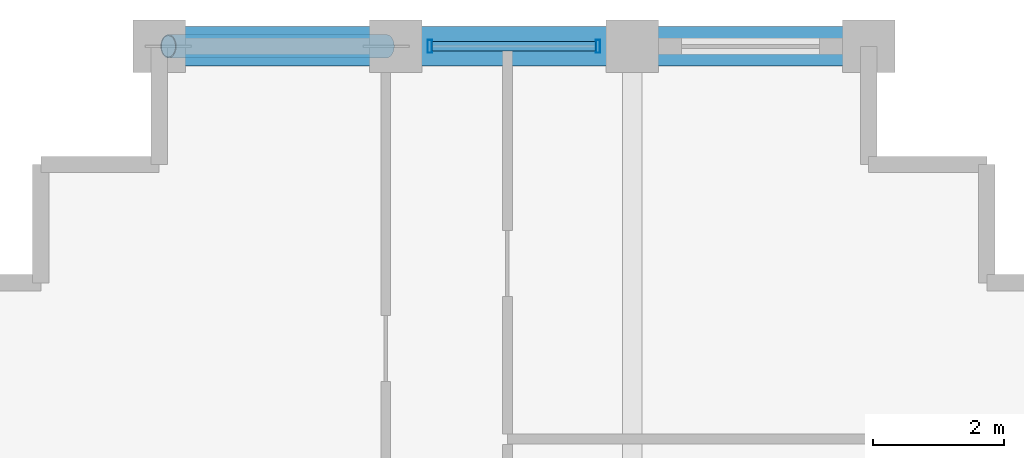
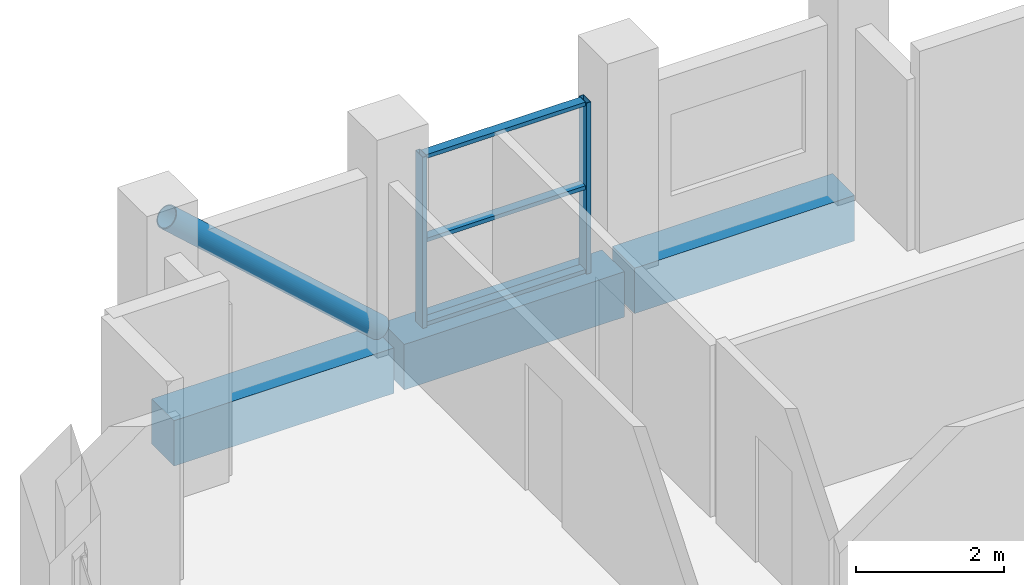
# One storey, part 12 of 17: 6 members, 3 beams, 1 element without a shape of its own.
"""IFC4 building model written with IfcOpenShell, lengths in metres."""

import ifcopenshell
import ifcopenshell.guid

model = None  # the IFC model being written
_history = None  # IfcOwnerHistory: only IFC2X3 demands one
_inside = {}  # id of a spatial element -> (the spatial element, [elements in it])
_under = {}  # id of a project, library or spatial element -> (it, [spatial elements below it])
_declared = {}  # id of a project -> (the project, [libraries it declares])
_typed = {}  # id of a type object -> (the type object, [elements of that type])
_made_of = {}  # id of a material, layer set ... -> (it, [elements and type objects made of it])


def new_model(schema):
    """Start an empty IFC model of exactly this schema.

    Asked for "IFC4X3", IfcOpenShell would pick the latest addendum, in which some entities
    have other attributes; the version numbers below select the first issue.
    IFC2X3 requires an IfcOwnerHistory on every rooted entity: one is made here for all.
    """
    global model, _history
    if schema == "IFC4X3":
        model = ifcopenshell.file(schema_version=(4, 3, 0, 0))
    else:
        model = ifcopenshell.file(schema=schema)
    _inside.clear()
    _under.clear()
    _declared.clear()
    _typed.clear()
    _made_of.clear()
    _history = None
    if model.schema == "IFC2X3":
        org = make("IfcOrganization", Name="unknown")
        user = make(
            "IfcPersonAndOrganization",
            ThePerson=make("IfcPerson", FamilyName="unknown"),
            TheOrganization=org,
        )
        app = make(
            "IfcApplication",
            ApplicationDeveloper=org,
            Version="unknown",
            ApplicationFullName="unknown",
            ApplicationIdentifier="unknown",
        )
        _history = make(
            "IfcOwnerHistory",
            OwningUser=user,
            OwningApplication=app,
            ChangeAction="ADDED",
            CreationDate=0,
        )
    return model


def make(cls, **values):
    """One entity of the class cls with the attributes given. An attribute that is None is left unset."""
    return model.create_entity(
        cls, **{name: value for name, value in values.items() if value is not None}
    )


def rooted(cls, **values):
    """An entity with a GlobalId (a new one), such as an element, a storey or a relation."""
    return make(cls, GlobalId=ifcopenshell.guid.new(), OwnerHistory=_history, **values)


def si_unit(unit_type, name, prefix=None):
    """IfcSIUnit, for example si_unit("LENGTHUNIT", "METRE", prefix="MILLI")."""
    return make("IfcSIUnit", UnitType=unit_type, Prefix=prefix, Name=name)


def assignment(units):
    """IfcUnitAssignment: the units of a project."""
    return None if units is None else make("IfcUnitAssignment", Units=units)


def point(xyz):
    """IfcCartesianPoint."""
    return None if xyz is None else make("IfcCartesianPoint", Coordinates=xyz)


def direction(xyz):
    """IfcDirection."""
    return None if xyz is None else make("IfcDirection", DirectionRatios=xyz)


def frame(location, z_axis=None, x_axis=None):
    """IfcAxis2Placement3D, a coordinate frame: its origin and axes. An axis left out is left unset."""
    return make(
        "IfcAxis2Placement3D",
        Location=point(location),
        Axis=direction(z_axis),
        RefDirection=direction(x_axis),
    )


def frame_2d(location, x_axis=None):
    """IfcAxis2Placement2D, a coordinate frame in the plane: its origin and x axis."""
    return make(
        "IfcAxis2Placement2D", Location=point(location), RefDirection=direction(x_axis)
    )


def origin():
    """The frame at (0, 0, 0) with its axes left unset."""
    return frame((0.0, 0.0, 0.0))


def origin_2d():
    """The frame at (0, 0) in the plane with its x axis left unset."""
    return frame_2d((0.0, 0.0))


def place(relative_to, where):
    """IfcLocalPlacement: puts the frame where relative to a parent placement (None: the world)."""
    return make(
        "IfcLocalPlacement", PlacementRelTo=relative_to, RelativePlacement=where
    )


def context(
    kind, dimensions, precision=None, world=None, true_north=None, identifier=None
):
    """IfcGeometricRepresentationContext, for example the 3D "Model" context."""
    return make(
        "IfcGeometricRepresentationContext",
        ContextIdentifier=identifier,
        ContextType=kind,
        CoordinateSpaceDimension=dimensions,
        Precision=precision,
        WorldCoordinateSystem=world,
        TrueNorth=true_north,
    )


def subcontext(parent, identifier, kind, view, scale=None):
    """IfcGeometricRepresentationSubContext, for example "Body" below "Model"."""
    return make(
        "IfcGeometricRepresentationSubContext",
        ContextIdentifier=identifier,
        ContextType=kind,
        ParentContext=parent,
        TargetScale=scale,
        TargetView=view,
    )


def project(units=None, contexts=None):
    """IfcProject with its units and contexts."""
    return rooted(
        "IfcProject",
        Name="project",
        RepresentationContexts=contexts,
        UnitsInContext=assignment(units),
    )


def spatial(cls, under=None, at=None, **own):
    """A site, building, storey or space (cls), placed at a placement, below another one or the project."""
    s = rooted(cls, ObjectPlacement=at, **own)
    if under is not None:
        _under.setdefault(under.id(), (under, []))[1].append(s)
    return s


def profile(cls, at=None, kind="AREA", **sizes):
    """A parametric profile (cls). Its sizes go by their IFC names, for example OverallWidth=200.0."""
    return make(cls, ProfileType=kind, Position=at, **sizes)


def rectangle(**sizes):
    """IfcRectangleProfileDef."""
    return profile("IfcRectangleProfileDef", **sizes)


def hollow_rectangle(**sizes):
    """IfcRectangleHollowProfileDef."""
    return profile("IfcRectangleHollowProfileDef", **sizes)


def hollow_circle(**sizes):
    """IfcCircleHollowProfileDef."""
    return profile("IfcCircleHollowProfileDef", **sizes)


def extrude(swept, where, along, depth):
    """IfcExtrudedAreaSolid: the profile swept, set in the frame where, extruded along a direction by depth."""
    return make(
        "IfcExtrudedAreaSolid",
        SweptArea=swept,
        Position=where,
        ExtrudedDirection=direction(along),
        Depth=depth,
    )


def shape(context_of_items, identifier, shape_type, items):
    """IfcShapeRepresentation: the items that make up one representation, for example the "Body"."""
    return make(
        "IfcShapeRepresentation",
        ContextOfItems=context_of_items,
        RepresentationIdentifier=identifier,
        RepresentationType=shape_type,
        Items=items,
    )


def material(Name=None, Category=None):
    """IfcMaterial."""
    return make("IfcMaterial", Name=Name, Category=Category)


def layer(
    of_material, thickness, ventilated=None, Name=None, Category=None, Priority=None
):
    """IfcMaterialLayer: one layer of a wall or slab, of a material (None: an air gap)."""
    return make(
        "IfcMaterialLayer",
        Material=of_material,
        LayerThickness=thickness,
        IsVentilated=ventilated,
        Name=Name,
        Category=Category,
        Priority=Priority,
    )


def layer_set(layers, Name=None):
    """IfcMaterialLayerSet."""
    return make("IfcMaterialLayerSet", MaterialLayers=layers, LayerSetName=Name)


def material_profile(
    of_material, cross_section, Name=None, Category=None, Priority=None
):
    """IfcMaterialProfile: a cross section and its material."""
    return make(
        "IfcMaterialProfile",
        Name=Name,
        Material=of_material,
        Profile=cross_section,
        Priority=Priority,
        Category=Category,
    )


def profile_set(profiles, Name=None, composite=None):
    """IfcMaterialProfileSet."""
    return make(
        "IfcMaterialProfileSet",
        Name=Name,
        MaterialProfiles=profiles,
        CompositeProfile=composite,
    )


def made_of(thing, what):
    """Note that an element or type object is made of a material, layer set ...; save() writes the relation."""
    if what is not None:
        _made_of.setdefault(what.id(), (what, []))[1].append(thing)
    return thing


def type_object(cls, material=None, **own):
    """A type object (cls), such as IfcWallType, which elements share."""
    return made_of(rooted(cls, **own), material)


def element(
    cls,
    number,
    at=None,
    inside=None,
    cuts=None,
    type_object=None,
    material=None,
    context=None,
    identifier="Body",
    shape_type=None,
    held_by="IfcProductDefinitionShape",
    body=None,
    shapes=None,
    **own,
):
    """One element of the class cls, such as IfcWall. Its Tag is "e" and its number.

    at: its placement. inside: the storey or other place that contains it. cuts: it is an
    opening in that element (IfcRelVoidsElement). A single representation is given by context,
    identifier, shape_type and body (its items); several are given by shapes. held_by: the class
    of the entity that holds the representations. save() writes the other relations.
    """
    e = rooted(cls, Tag="e%d" % number, ObjectPlacement=at, **own)
    if body is not None:
        shapes = [shape(context, identifier, shape_type, body)]
    if shapes is not None:
        e.Representation = make(held_by, Representations=shapes)
    if inside is not None:
        _inside.setdefault(inside.id(), (inside, []))[1].append(e)
    if cuts is not None:
        rooted(
            "IfcRelVoidsElement", RelatingBuildingElement=cuts, RelatedOpeningElement=e
        )
    if type_object is not None:
        _typed.setdefault(type_object.id(), (type_object, []))[1].append(e)
    return made_of(e, material)


def aggregate(whole, parts):
    """IfcRelAggregates: a whole, such as a stair, and the parts it consists of."""
    return rooted("IfcRelAggregates", RelatingObject=whole, RelatedObjects=parts)


def save(model, path):
    """Write the relations noted so far, then the file.

    IfcRelAggregates (storeys below a building ...), IfcRelContainedInSpatialStructure (elements
    in a storey), IfcRelDefinesByType, IfcRelAssociatesMaterial and IfcRelDeclares: one each for
    every whole, place, type object, material and project.
    """
    for whole, parts in _under.values():
        aggregate(whole, parts)
    for where, things in _inside.values():
        rooted(
            "IfcRelContainedInSpatialStructure",
            RelatedElements=things,
            RelatingStructure=where,
        )
    for kind, things in _typed.values():
        rooted("IfcRelDefinesByType", RelatedObjects=things, RelatingType=kind)
    for what, things in _made_of.values():
        rooted("IfcRelAssociatesMaterial", RelatedObjects=things, RelatingMaterial=what)
    for by, libraries in _declared.values():
        rooted("IfcRelDeclares", RelatingContext=by, RelatedDefinitions=libraries)
    model.write(path)


model = new_model("IFC4")

# Units and contexts
model_context = context("Model", 3, precision=1e-05, world=origin(), true_north=direction((0.0, 1.0)))
body_context = subcontext(model_context, "Body", "Model", "MODEL_VIEW")
ifc_project = project(units=[si_unit("LENGTHUNIT", "METRE"), si_unit("AREAUNIT", "SQUARE_METRE"), si_unit("VOLUMEUNIT", "CUBIC_METRE"), si_unit("PLANEANGLEUNIT", "RADIAN"), si_unit("MASSUNIT", "GRAM", prefix="KILO")], contexts=[model_context])

# Site, building, storey
site_placement = place(None, origin())
site = spatial("IfcSite", under=ifc_project, at=site_placement, CompositionType="ELEMENT")
building_placement = place(site_placement, origin())
building = spatial("IfcBuilding", under=site, at=building_placement, Name="Solnavia Interchange Tower", CompositionType="ELEMENT")
storey_placement = place(building_placement, frame((0.0, 0.0, 291.800048828125)))
storey = spatial("IfcBuildingStorey", under=building, at=storey_placement, Name="L74", CompositionType="ELEMENT", Elevation=291.800048828125)

# Beams
ifc_material_1 = material(Name="Concrete C50/60", Category="concrete")
ifc_material_profile_1 = material_profile(ifc_material_1, rectangle(XDim=0.60009765625, YDim=0.75, at=origin_2d()), Name="RC 600x750")
ifc_profile_set_1 = profile_set([ifc_material_profile_1], Name="Concrete C50/60")
beam_type = type_object("IfcBeamType", Name="Beam-Spandrel-RC600x750", PredefinedType="SPANDREL", material=ifc_profile_set_1)
for number, where, z_axis, x_axis, name in (
    (1, (21.52001953125, 36.0, -0.375), (-1.0, 0.0, 0.0), (0.0, -1.0, 0.0), "SPB-L74-22 Framed-tube perimeter spandrel beam"),
    (2, (17.919921875, 36.0, -0.375), (-1.0, 0.0, 0.0), (0.0, -1.0, 0.0), "SPB-L74-23 Framed-tube perimeter spandrel beam"),
):
    element("IfcBeam", number, at=place(storey_placement, frame(where, z_axis=z_axis, x_axis=x_axis)), inside=storey, type_object=beam_type, Name=name, PredefinedType="SPANDREL", context=body_context, shape_type="SweptSolid", body=[
        extrude(rectangle(XDim=0.60009765625, YDim=0.75, at=origin_2d()), origin(), (0.0, 0.0, 1.0), 3.43994140625),
    ])
beam_placement = place(storey_placement, frame((14.320068359375, 36.0, -0.375), z_axis=(-1.0, 0.0, 0.0), x_axis=(0.0, -1.0, 0.0)))
element("IfcBeam", 3, at=beam_placement, inside=storey, type_object=beam_type, Name="SPB-L74-24 Framed-tube perimeter spandrel beam", PredefinedType="SPANDREL", context=body_context, shape_type="SweptSolid", body=[
    extrude(rectangle(XDim=0.60009765625, YDim=0.75, at=origin_2d()), origin(), (0.0, 0.0, 1.0), 3.440185546875),
])

# Member
ifc_material_2 = material(Name="Steel S460", Category="steel")
ifc_material_profile_2 = material_profile(ifc_material_2, hollow_circle(Radius=0.177734375, WallThickness=0.01611328125, at=origin_2d()), Name="CHS 355.6x16")
ifc_profile_set_2 = profile_set([ifc_material_profile_2], Name="Steel S460")
member_type_1 = type_object("IfcMemberType", Name="Brace-Perim-CHS355", PredefinedType="BRACE", material=ifc_profile_set_2)
member_1_placement = place(storey_placement, frame((14.260009765625, 36.0, 0.179931640625), z_axis=(-0.74307946371, 0.0, 0.669203190827), x_axis=(0.0, -1.0, 0.0)))
element("IfcMember", 4, at=member_1_placement, inside=storey, type_object=member_type_1, Name="BRC-L74-03 Perimeter tube diagonal brace", PredefinedType="BRACE", context=body_context, shape_type="SweptSolid", body=[
    extrude(hollow_circle(Radius=0.177734375, WallThickness=0.01611328125, at=origin_2d()), origin(), (0.0, 0.0, 1.0), 4.468017578125),
])

# Curtain wall, members
ifc_material_3 = material(Name="Aluminium Alloy 6063-T6", Category="aluminium")
ifc_layer = layer(ifc_material_3, 0.219970703125)
ifc_layer_set = layer_set([ifc_layer], Name="Aluminium Alloy 6063-T6")
curtain_wall_type = type_object("IfcCurtainWallType", Name="CurtainWall-Tower-CTW3", PredefinedType="NOTDEFINED", material=ifc_layer_set)
curtain_wall_placement = place(storey_placement, origin())
curtain_wall = element("IfcCurtainWall", 5, at=curtain_wall_placement, inside=storey, type_object=curtain_wall_type, Name="CTW-L74-S28 CTW-3 curtain wall", PredefinedType="NOTDEFINED")
ifc_material_profile_3 = material_profile(ifc_material_3, hollow_rectangle(XDim=0.070068359375, YDim=0.199951171875, WallThickness=0.0048828125, at=origin_2d()), Name="ALU 200x70x5")
ifc_profile_set_3 = profile_set([ifc_material_profile_3], Name="Aluminium Alloy 6063-T6")
member_type_2 = type_object("IfcMemberType", Name="CW-Mullion-CWM-3", PredefinedType="MULLION", material=ifc_profile_set_3)
member_2_placement = place(storey_placement, frame((17.47998046875, 36.0, 0.0), z_axis=(0.0, 0.0, 1.0), x_axis=(-1.0, 0.0, 0.0)))
member_2 = element("IfcMember", 6, at=member_2_placement, type_object=member_type_2, Name="CTW-3 mullion 1", PredefinedType="MULLION", context=body_context, shape_type="SweptSolid", body=[
    extrude(hollow_rectangle(XDim=0.070068359375, YDim=0.199951171875, WallThickness=0.0048828125, at=origin_2d()), origin(), (0.0, 0.0, 1.0), 2.829833984375),
])
member_3_placement = place(storey_placement, frame((14.919921875, 36.0, 0.0), z_axis=(0.0, 0.0, 1.0), x_axis=(-1.0, 0.0, 0.0)))
member_3 = element("IfcMember", 7, at=member_3_placement, type_object=member_type_2, Name="CTW-3 mullion 2", PredefinedType="MULLION", context=body_context, shape_type="SweptSolid", body=[
    extrude(hollow_rectangle(XDim=0.070068359375, YDim=0.199951171875, WallThickness=0.0048828125, at=origin_2d()), origin(), (0.0, 0.0, 1.0), 2.829833984375),
])
ifc_material_profile_4 = material_profile(ifc_material_3, hollow_rectangle(XDim=0.06494140625, YDim=0.139892578125, WallThickness=0.00390625, at=origin_2d()), Name="ALU 140x65x4")
ifc_profile_set_4 = profile_set([ifc_material_profile_4], Name="Aluminium Alloy 6063-T6")
member_type_3 = type_object("IfcMemberType", Name="CW-Transom-CWT-3", PredefinedType="USERDEFINED", material=ifc_profile_set_4)
member_4_placement = place(storey_placement, frame((17.445068359375, 36.0, 0.032470703125), z_axis=(-1.0, 0.0, 0.0), x_axis=(0.0, 0.0, 1.0)))
member_4 = element("IfcMember", 8, at=member_4_placement, type_object=member_type_3, Name="CTW-3 transom 1.1", ObjectType="TRANSOM", PredefinedType="USERDEFINED", context=body_context, shape_type="SweptSolid", body=[
    extrude(hollow_rectangle(XDim=0.06494140625, YDim=0.139892578125, WallThickness=0.00390625, at=origin_2d()), origin(), (0.0, 0.0, 1.0), 2.489990234375),
])
member_5_placement = place(storey_placement, frame((17.445068359375, 36.0, 1.4150390625), z_axis=(-1.0, 0.0, 0.0), x_axis=(0.0, 0.0, 1.0)))
member_5 = element("IfcMember", 9, at=member_5_placement, type_object=member_type_3, Name="CTW-3 transom 1.2", ObjectType="TRANSOM", PredefinedType="USERDEFINED", context=body_context, shape_type="SweptSolid", body=[
    extrude(hollow_rectangle(XDim=0.06494140625, YDim=0.139892578125, WallThickness=0.00390625, at=origin_2d()), origin(), (0.0, 0.0, 1.0), 2.489990234375),
])
member_6_placement = place(storey_placement, frame((17.445068359375, 36.0, 2.79736328125), z_axis=(-1.0, 0.0, 0.0), x_axis=(0.0, 0.0, 1.0)))
member_6 = element("IfcMember", 10, at=member_6_placement, type_object=member_type_3, Name="CTW-3 transom 1.3", ObjectType="TRANSOM", PredefinedType="USERDEFINED", context=body_context, shape_type="SweptSolid", body=[
    extrude(hollow_rectangle(XDim=0.06494140625, YDim=0.139892578125, WallThickness=0.00390625, at=origin_2d()), origin(), (0.0, 0.0, 1.0), 2.489990234375),
])
aggregate(curtain_wall, [member_2, member_3, member_4, member_5, member_6])

save(model, "model.ifc")
